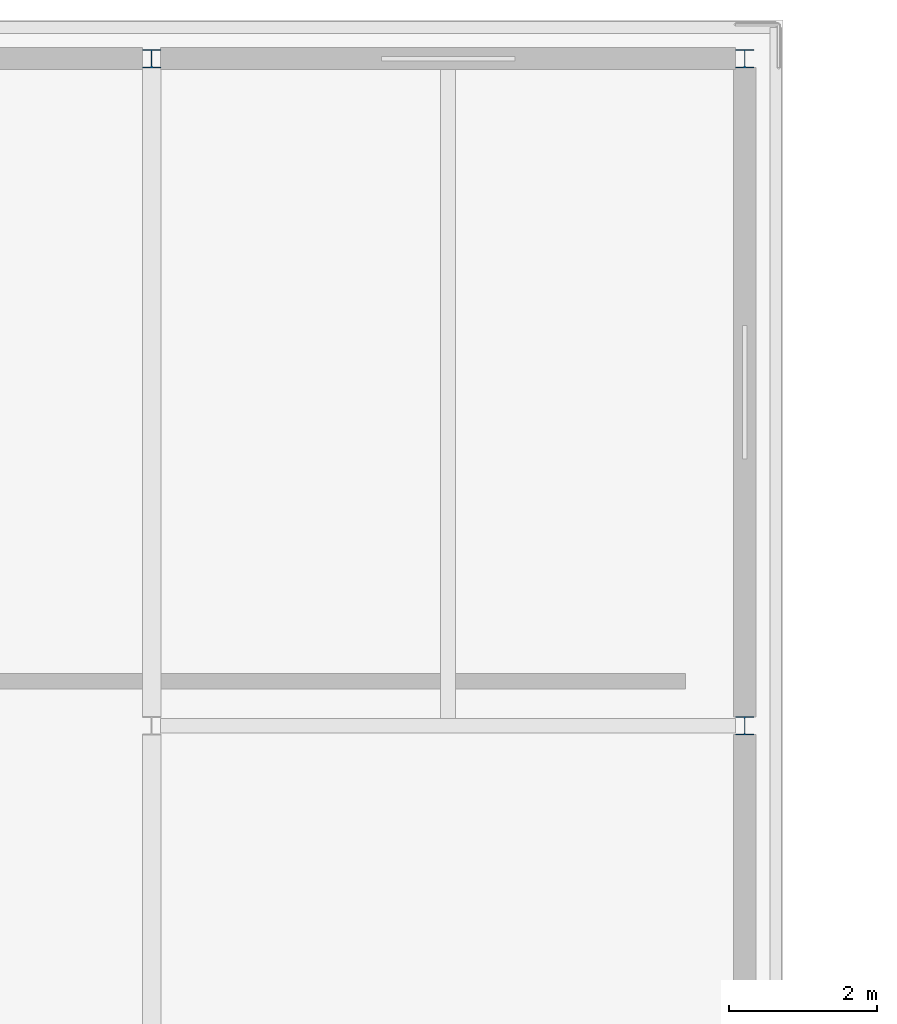
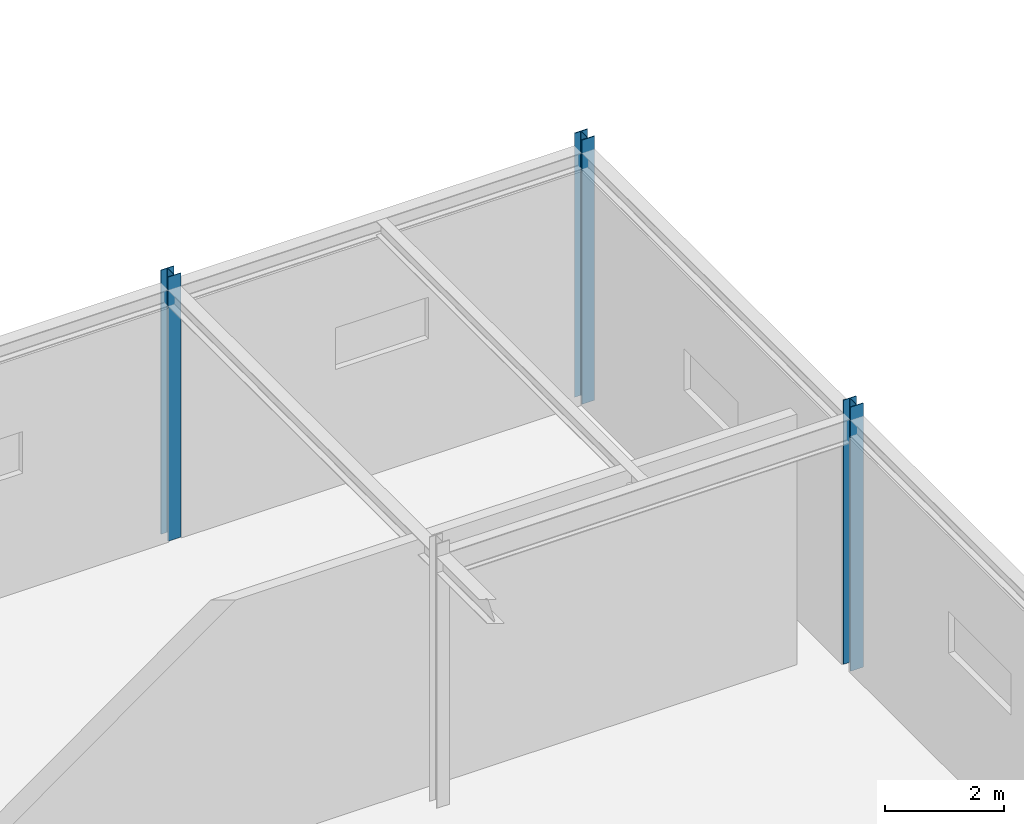
# One storey, part 16 of 108: 3 columns.
"""IFC4 building model written with IfcOpenShell, lengths in metres."""

from ifc_helpers import new_model, si_unit, direction, frame, origin, origin_2d, place, context, subcontext, project, spatial, i_section, extrude, material, material_profile, profile_set, type_object, element, save


model = new_model("IFC4")

# Units and contexts
model_context = context("Model", 3, precision=1e-05, world=origin(), true_north=direction((0.0, 1.0)))
body_context = subcontext(model_context, "Body", "Model", "MODEL_VIEW")
ifc_project = project(units=[si_unit("LENGTHUNIT", "METRE"), si_unit("AREAUNIT", "SQUARE_METRE"), si_unit("VOLUMEUNIT", "CUBIC_METRE"), si_unit("PLANEANGLEUNIT", "RADIAN"), si_unit("MASSUNIT", "GRAM", prefix="KILO")], contexts=[model_context])

# Site, building, storey
site_placement = place(None, origin())
site = spatial("IfcSite", under=ifc_project, at=site_placement, CompositionType="ELEMENT")
building_placement = place(site_placement, origin())
building = spatial("IfcBuilding", under=site, at=building_placement, Name="Zhaolan Boulevard Law Courts", CompositionType="ELEMENT")
storey_placement = place(building_placement, frame((0.0, 0.0, 10.800048828125)))
storey = spatial("IfcBuildingStorey", under=building, at=storey_placement, Name="L02", CompositionType="ELEMENT", Elevation=10.800048828125)

# Columns
ifc_material = material(Name="Structural steel Q355B", Category="steel")
ifc_material_profile = material_profile(ifc_material, i_section(OverallWidth=0.25, OverallDepth=0.25, WebThickness=0.009033203125, FlangeThickness=0.013916015625, FilletRadius=0.01611328125, at=origin_2d()), Name="HW250x250")
ifc_profile_set = profile_set([ifc_material_profile], Name="Structural steel Q355B")
column_type = type_object("IfcColumnType", Name="COL HW250", PredefinedType="COLUMN", material=ifc_profile_set)
for number, where, z_axis, x_axis, name in (
    (1, (100.0, 112.0, 0.0), (0.0, 0.0, 1.0), (1.0, 0.0, 0.0), "Column C-13Q (L02)"),
    (2, (108.0, 103.0, 0.0), (0.0, 0.0, 1.0), (1.0, 0.0, 0.0), "Column C-14P (L02)"),
    (3, (108.0, 112.0, 0.0), (0.0, 0.0, 1.0), (1.0, 0.0, 0.0), "Column C-14Q (L02)"),
):
    element("IfcColumn", number, at=place(storey_placement, frame(where, z_axis=z_axis, x_axis=x_axis)), inside=storey, type_object=column_type, Name=name, PredefinedType="COLUMN", context=body_context, shape_type="SweptSolid", body=[
        extrude(i_section(OverallWidth=0.25, OverallDepth=0.25, WebThickness=0.009033203125, FlangeThickness=0.013916015625, FilletRadius=0.01611328125, at=origin_2d()), origin(), (0.0, 0.0, 1.0), 5.39990234375),
    ])

save(model, "model.ifc")
